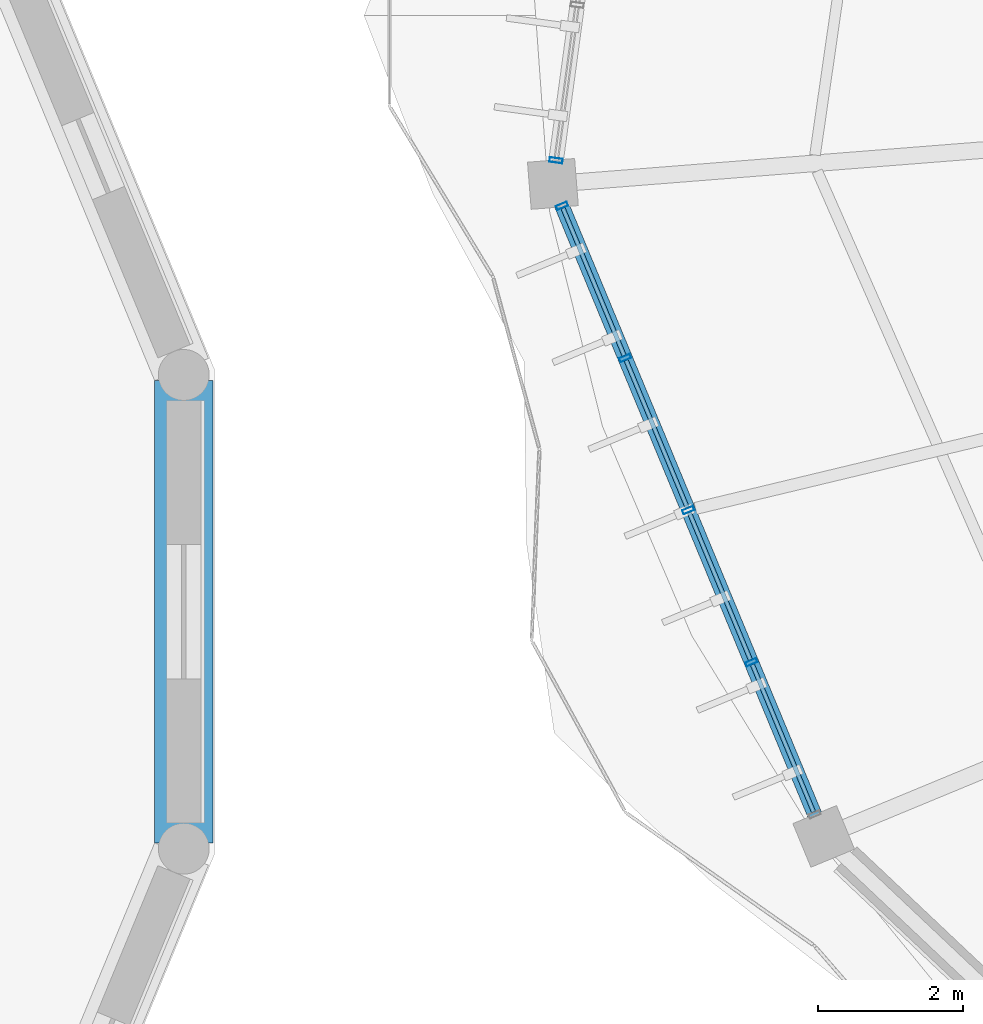
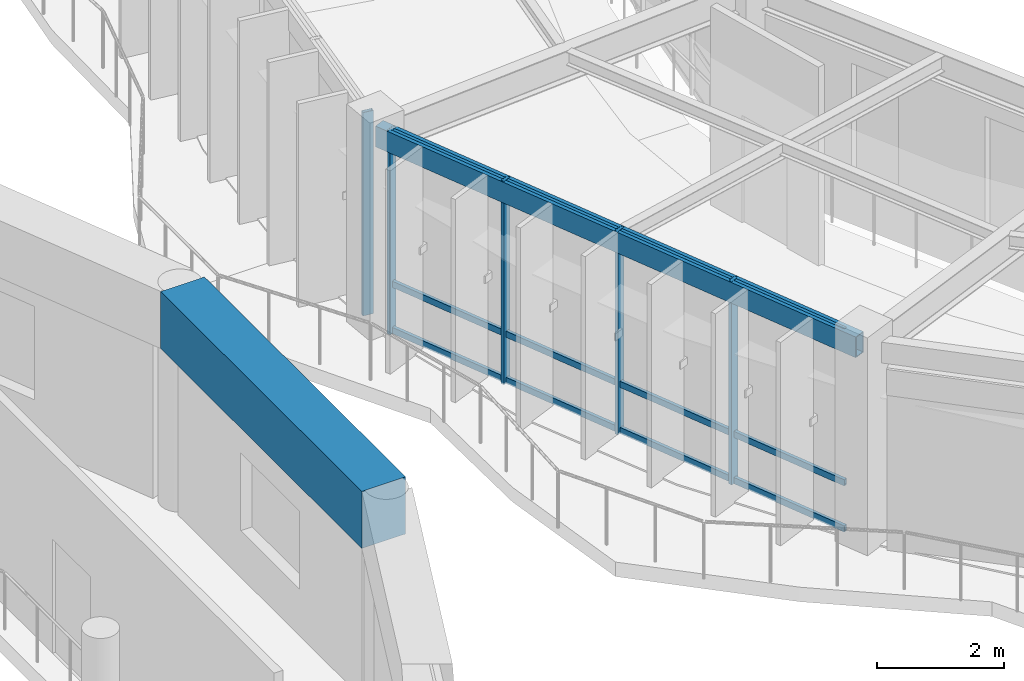
# One storey, part 33 of 114: 17 members, 2 beams, 2 elements without a shape of their own.
"""IFC4 building model written with IfcOpenShell, lengths in metres."""

from ifc_helpers import new_model, si_unit, direction, frame, origin, origin_2d, place, context, subcontext, project, spatial, rectangle, hollow_rectangle, extrude, material, material_profile, profile_set, type_object, element, aggregate, save


model = new_model("IFC4")

# Units and contexts
model_context = context("Model", 3, precision=1e-05, world=origin(), true_north=direction((0.0, 1.0)))
body_context = subcontext(model_context, "Body", "Model", "MODEL_VIEW")
ifc_project = project(units=[si_unit("LENGTHUNIT", "METRE"), si_unit("AREAUNIT", "SQUARE_METRE"), si_unit("VOLUMEUNIT", "CUBIC_METRE"), si_unit("PLANEANGLEUNIT", "RADIAN"), si_unit("MASSUNIT", "GRAM", prefix="KILO"), si_unit("THERMODYNAMICTEMPERATUREUNIT", "KELVIN"), si_unit("POWERUNIT", "WATT")], contexts=[model_context])

# Site, building, storey
site_placement = place(None, origin())
site = spatial("IfcSite", under=ifc_project, at=site_placement, CompositionType="ELEMENT")
building_placement = place(site_placement, origin())
building = spatial("IfcBuilding", under=site, at=building_placement, Name="Darbajah Civic Hall", CompositionType="ELEMENT")
storey_placement = place(building_placement, frame((0.0, 0.0, 13.800048828125)))
storey = spatial("IfcBuildingStorey", under=building, at=storey_placement, Name="L03", CompositionType="ELEMENT", Elevation=13.800048828125)

# Curtain wall, members
ifc_material_1 = material(Name="Anodised Bronze Aluminium and Low-E Glazing", Category="aluminium")
curtain_wall_type_1 = type_object("IfcCurtainWallType", Name="Unitised Curtain Wall CW-59 9100x3900", PredefinedType="USERDEFINED", material=ifc_material_1)
curtain_wall_1_placement = place(storey_placement, origin())
curtain_wall_1 = element("IfcCurtainWall", 1, at=curtain_wall_1_placement, inside=storey, type_object=curtain_wall_type_1, Name="L03 unitised curtain wall CW-V1O-L03-10", ObjectType="UNITISED CURTAIN WALL", PredefinedType="USERDEFINED")
ifc_material_2 = material(Name="Anodised Bronze Aluminium", Category="aluminium")
ifc_material_profile_1 = material_profile(ifc_material_2, hollow_rectangle(XDim=0.06005859375, YDim=0.159912109375, WallThickness=0.00341796875, at=origin_2d()), Name="ALU MULLION 60x160")
ifc_profile_set_1 = profile_set([ifc_material_profile_1], Name="Anodised Bronze Aluminium")
member_type_1 = type_object("IfcMemberType", Name="ALU MULLION 60x160", PredefinedType="MULLION", material=ifc_profile_set_1)
member_1_placement = place(storey_placement, frame((38.382568359375, 87.18359375, 0.0), z_axis=(0.0, 0.0, 1.0), x_axis=(0.383328328644, -0.923612143954, 0.0)))
member_1 = element("IfcMember", 2, at=member_1_placement, type_object=member_type_1, Name="CW-V1O-L03-10 mullion 1", PredefinedType="MULLION", context=body_context, shape_type="SweptSolid", body=[
    extrude(hollow_rectangle(XDim=0.06005859375, YDim=0.159912109375, WallThickness=0.00341796875, at=origin_2d()), origin(), (0.0, 0.0, 1.0), 3.919921875),
])
member_2_placement = place(storey_placement, frame((39.251220703125, 85.0908203125, 0.0), z_axis=(0.0, 0.0, 1.0), x_axis=(0.383328328644, -0.923612143954, 0.0)))
member_2 = element("IfcMember", 3, at=member_2_placement, type_object=member_type_1, Name="CW-V1O-L03-10 mullion 2", PredefinedType="MULLION", context=body_context, shape_type="SweptSolid", body=[
    extrude(hollow_rectangle(XDim=0.06005859375, YDim=0.159912109375, WallThickness=0.00341796875, at=origin_2d()), origin(), (0.0, 0.0, 1.0), 3.919921875),
])
member_3_placement = place(storey_placement, frame((40.11962890625, 82.998046875, 0.0), z_axis=(0.0, 0.0, 1.0), x_axis=(0.383328328644, -0.923612143954, 0.0)))
member_3 = element("IfcMember", 4, at=member_3_placement, type_object=member_type_1, Name="CW-V1O-L03-10 mullion 3", PredefinedType="MULLION", context=body_context, shape_type="SweptSolid", body=[
    extrude(hollow_rectangle(XDim=0.06005859375, YDim=0.159912109375, WallThickness=0.00341796875, at=origin_2d()), origin(), (0.0, 0.0, 1.0), 3.919921875),
])
member_4_placement = place(storey_placement, frame((40.98828125, 80.905517578125, 0.0), z_axis=(0.0, 0.0, 1.0), x_axis=(0.383328328644, -0.923612143954, 0.0)))
member_4 = element("IfcMember", 5, at=member_4_placement, type_object=member_type_1, Name="CW-V1O-L03-10 mullion 4", PredefinedType="MULLION", context=body_context, shape_type="SweptSolid", body=[
    extrude(hollow_rectangle(XDim=0.06005859375, YDim=0.159912109375, WallThickness=0.00341796875, at=origin_2d()), origin(), (0.0, 0.0, 1.0), 3.919921875),
])

# Curtain wall, member
curtain_wall_type_2 = type_object("IfcCurtainWallType", Name="Unitised Curtain Wall CW-45 8600x3900", PredefinedType="USERDEFINED", material=ifc_material_1)
curtain_wall_2_placement = place(storey_placement, origin())
curtain_wall_2 = element("IfcCurtainWall", 6, at=curtain_wall_2_placement, inside=storey, type_object=curtain_wall_type_2, Name="L03 unitised curtain wall CW-V1O-L03-09", ObjectType="UNITISED CURTAIN WALL", PredefinedType="USERDEFINED")
ifc_material_profile_2 = material_profile(ifc_material_2, hollow_rectangle(XDim=0.06494140625, YDim=0.179931640625, WallThickness=0.00390625, at=origin_2d()), Name="ALU MULLION 65x180")
ifc_profile_set_2 = profile_set([ifc_material_profile_2], Name="Anodised Bronze Aluminium")
member_type_2 = type_object("IfcMemberType", Name="ALU MULLION 65x180", PredefinedType="MULLION", material=ifc_profile_set_2)
member_5_placement = place(storey_placement, frame((38.30126953125, 87.8095703125, 0.0), z_axis=(0.0, 0.0, 1.0), x_axis=(-0.134850930274, -0.990865897387, 0.0)))
member_5 = element("IfcMember", 7, at=member_5_placement, type_object=member_type_2, Name="CW-V1O-L03-09 mullion 5", PredefinedType="MULLION", context=body_context, shape_type="SweptSolid", body=[
    extrude(hollow_rectangle(XDim=0.06494140625, YDim=0.179931640625, WallThickness=0.00390625, at=origin_2d()), origin(), (0.0, 0.0, 1.0), 3.919921875),
])
aggregate(curtain_wall_2, [member_5])

# Member
ifc_material_profile_3 = material_profile(ifc_material_2, hollow_rectangle(XDim=0.06005859375, YDim=0.1201171875, WallThickness=0.003173828125, at=origin_2d()), Name="ALU TRANSOM 60x120")
ifc_profile_set_3 = profile_set([ifc_material_profile_3], Name="Anodised Bronze Aluminium")
member_type_3 = type_object("IfcMemberType", Name="ALU TRANSOM 60x120", PredefinedType="USERDEFINED", material=ifc_profile_set_3)
member_6_placement = place(storey_placement, frame((38.39599609375, 87.151123046875, 0.06005859375), z_axis=(0.383399147334, -0.923582748769, 0.0), x_axis=(0.923582748769, 0.383399147334, 0.0)))
member_6 = element("IfcMember", 8, at=member_6_placement, type_object=member_type_3, Name="CW-V1O-L03-10 transom 1.1", ObjectType="TRANSOM", PredefinedType="USERDEFINED", context=body_context, shape_type="SweptSolid", body=[
    extrude(hollow_rectangle(XDim=0.06005859375, YDim=0.1201171875, WallThickness=0.003173828125, at=origin_2d()), origin(), (0.0, 0.0, 1.0), 2.195556640625),
])

member_7_placement = place(storey_placement, frame((38.39599609375, 87.151123046875, 0.949951171875), z_axis=(0.383399147334, -0.923582748769, 0.0), x_axis=(0.923582748769, 0.383399147334, 0.0)))
member_7 = element("IfcMember", 9, at=member_7_placement, type_object=member_type_3, Name="CW-V1O-L03-10 transom 1.2", ObjectType="TRANSOM", PredefinedType="USERDEFINED", context=body_context, shape_type="SweptSolid", body=[
    extrude(hollow_rectangle(XDim=0.06005859375, YDim=0.1201171875, WallThickness=0.003173828125, at=origin_2d()), origin(), (0.0, 0.0, 1.0), 2.195556640625),
])

member_8_placement = place(storey_placement, frame((38.39599609375, 87.151123046875, 3.85986328125), z_axis=(0.383399147334, -0.923582748769, 0.0), x_axis=(0.923582748769, 0.383399147334, 0.0)))
member_8 = element("IfcMember", 10, at=member_8_placement, type_object=member_type_3, Name="CW-V1O-L03-10 transom 1.3", ObjectType="TRANSOM", PredefinedType="USERDEFINED", context=body_context, shape_type="SweptSolid", body=[
    extrude(hollow_rectangle(XDim=0.06005859375, YDim=0.1201171875, WallThickness=0.003173828125, at=origin_2d()), origin(), (0.0, 0.0, 1.0), 2.195556640625),
])

member_9_placement = place(storey_placement, frame((39.264404296875, 85.05859375, 0.06005859375), z_axis=(0.383359776911, -0.923599091298, 0.0), x_axis=(0.923599091298, 0.383359776911, 0.0)))
member_9 = element("IfcMember", 11, at=member_9_placement, type_object=member_type_3, Name="CW-V1O-L03-10 transom 2.1", ObjectType="TRANSOM", PredefinedType="USERDEFINED", context=body_context, shape_type="SweptSolid", body=[
    extrude(hollow_rectangle(XDim=0.06005859375, YDim=0.1201171875, WallThickness=0.003173828125, at=origin_2d()), origin(), (0.0, 0.0, 1.0), 2.19580078125),
])

member_10_placement = place(storey_placement, frame((39.264404296875, 85.05859375, 0.949951171875), z_axis=(0.383359776911, -0.923599091298, 0.0), x_axis=(0.923599091298, 0.383359776911, 0.0)))
member_10 = element("IfcMember", 12, at=member_10_placement, type_object=member_type_3, Name="CW-V1O-L03-10 transom 2.2", ObjectType="TRANSOM", PredefinedType="USERDEFINED", context=body_context, shape_type="SweptSolid", body=[
    extrude(hollow_rectangle(XDim=0.06005859375, YDim=0.1201171875, WallThickness=0.003173828125, at=origin_2d()), origin(), (0.0, 0.0, 1.0), 2.19580078125),
])

member_11_placement = place(storey_placement, frame((39.264404296875, 85.05859375, 3.85986328125), z_axis=(0.383359776911, -0.923599091298, 0.0), x_axis=(0.923599091298, 0.383359776911, 0.0)))
member_11 = element("IfcMember", 13, at=member_11_placement, type_object=member_type_3, Name="CW-V1O-L03-10 transom 2.3", ObjectType="TRANSOM", PredefinedType="USERDEFINED", context=body_context, shape_type="SweptSolid", body=[
    extrude(hollow_rectangle(XDim=0.06005859375, YDim=0.1201171875, WallThickness=0.003173828125, at=origin_2d()), origin(), (0.0, 0.0, 1.0), 2.19580078125),
])

member_12_placement = place(storey_placement, frame((40.133056640625, 82.9658203125, 0.06005859375), z_axis=(0.383359776911, -0.923599091298, 0.0), x_axis=(0.923599091298, 0.383359776911, 0.0)))
member_12 = element("IfcMember", 14, at=member_12_placement, type_object=member_type_3, Name="CW-V1O-L03-10 transom 3.1", ObjectType="TRANSOM", PredefinedType="USERDEFINED", context=body_context, shape_type="SweptSolid", body=[
    extrude(hollow_rectangle(XDim=0.06005859375, YDim=0.1201171875, WallThickness=0.003173828125, at=origin_2d()), origin(), (0.0, 0.0, 1.0), 2.19580078125),
])

member_13_placement = place(storey_placement, frame((40.133056640625, 82.9658203125, 0.949951171875), z_axis=(0.383359776911, -0.923599091298, 0.0), x_axis=(0.923599091298, 0.383359776911, 0.0)))
member_13 = element("IfcMember", 15, at=member_13_placement, type_object=member_type_3, Name="CW-V1O-L03-10 transom 3.2", ObjectType="TRANSOM", PredefinedType="USERDEFINED", context=body_context, shape_type="SweptSolid", body=[
    extrude(hollow_rectangle(XDim=0.06005859375, YDim=0.1201171875, WallThickness=0.003173828125, at=origin_2d()), origin(), (0.0, 0.0, 1.0), 2.19580078125),
])

member_14_placement = place(storey_placement, frame((40.133056640625, 82.9658203125, 3.85986328125), z_axis=(0.383359776911, -0.923599091298, 0.0), x_axis=(0.923599091298, 0.383359776911, 0.0)))
member_14 = element("IfcMember", 16, at=member_14_placement, type_object=member_type_3, Name="CW-V1O-L03-10 transom 3.3", ObjectType="TRANSOM", PredefinedType="USERDEFINED", context=body_context, shape_type="SweptSolid", body=[
    extrude(hollow_rectangle(XDim=0.06005859375, YDim=0.1201171875, WallThickness=0.003173828125, at=origin_2d()), origin(), (0.0, 0.0, 1.0), 2.19580078125),
])

member_15_placement = place(storey_placement, frame((41.001708984375, 80.873046875, 0.06005859375), z_axis=(0.383304291667, -0.923622119695, 0.0), x_axis=(0.923622119695, 0.383304291667, 0.0)))
member_15 = element("IfcMember", 17, at=member_15_placement, type_object=member_type_3, Name="CW-V1O-L03-10 transom 4.1", ObjectType="TRANSOM", PredefinedType="USERDEFINED", context=body_context, shape_type="SweptSolid", body=[
    extrude(hollow_rectangle(XDim=0.06005859375, YDim=0.1201171875, WallThickness=0.003173828125, at=origin_2d()), origin(), (0.0, 0.0, 1.0), 2.195556640625),
])

member_16_placement = place(storey_placement, frame((41.001708984375, 80.873046875, 0.949951171875), z_axis=(0.383304291667, -0.923622119695, 0.0), x_axis=(0.923622119695, 0.383304291667, 0.0)))
member_16 = element("IfcMember", 18, at=member_16_placement, type_object=member_type_3, Name="CW-V1O-L03-10 transom 4.2", ObjectType="TRANSOM", PredefinedType="USERDEFINED", context=body_context, shape_type="SweptSolid", body=[
    extrude(hollow_rectangle(XDim=0.06005859375, YDim=0.1201171875, WallThickness=0.003173828125, at=origin_2d()), origin(), (0.0, 0.0, 1.0), 2.195556640625),
])

member_17_placement = place(storey_placement, frame((41.001708984375, 80.873046875, 3.85986328125), z_axis=(0.383304291667, -0.923622119695, 0.0), x_axis=(0.923622119695, 0.383304291667, 0.0)))
member_17 = element("IfcMember", 19, at=member_17_placement, type_object=member_type_3, Name="CW-V1O-L03-10 transom 4.3", ObjectType="TRANSOM", PredefinedType="USERDEFINED", context=body_context, shape_type="SweptSolid", body=[
    extrude(hollow_rectangle(XDim=0.06005859375, YDim=0.1201171875, WallThickness=0.003173828125, at=origin_2d()), origin(), (0.0, 0.0, 1.0), 2.195556640625),
])

aggregate(curtain_wall_1, [member_1, member_2, member_3, member_4, member_6, member_7, member_8, member_9, member_10, member_11, member_12, member_13, member_14, member_15, member_16, member_17])

# Beams
ifc_material_3 = material(Name="Concrete C50/60", Category="concrete")
ifc_material_profile_4 = material_profile(ifc_material_3, rectangle(XDim=0.800048828125, YDim=1.10009765625, at=origin_2d()), Name="RC RING 800x1100")
ifc_profile_set_4 = profile_set([ifc_material_profile_4], Name="Concrete C50/60")
beam_type_1 = type_object("IfcBeamType", Name="RC RING 800x1100", PredefinedType="BEAM", material=ifc_profile_set_4)
beam_1_placement = place(storey_placement, frame((33.179931640625, 78.421875, 3.64990234375), z_axis=(0.0, 1.0, 0.0), x_axis=(-1.0, 0.0, 0.0)))
element("IfcBeam", 20, at=beam_1_placement, inside=storey, type_object=beam_type_1, Name="Dome Base Ring Beam segment 16", PredefinedType="BEAM", context=body_context, shape_type="SweptSolid", body=[
    extrude(rectangle(XDim=0.800048828125, YDim=1.10009765625, at=origin_2d()), origin(), (0.0, 0.0, 1.0), 6.3564453125),
])
ifc_material_4 = material(Name="Steel S355JR", Category="steel")
ifc_material_profile_5 = material_profile(ifc_material_4, hollow_rectangle(XDim=0.199951171875, YDim=0.39990234375, WallThickness=0.013916015625, at=origin_2d()), Name="RHS 400x200x14")
ifc_profile_set_5 = profile_set([ifc_material_profile_5], Name="Steel S355JR")
beam_type_2 = type_object("IfcBeamType", Name="RHS 400x200x14", PredefinedType="SPANDREL", material=ifc_profile_set_5)
beam_2_placement = place(storey_placement, frame((38.287841796875, 87.41162109375, 3.719970703125), z_axis=(0.38333984527, -0.923607364104, 0.0), x_axis=(0.923607364104, 0.38333984527, 0.0)))
element("IfcBeam", 21, at=beam_2_placement, inside=storey, type_object=beam_type_2, Name="L03 beam SP-RHS400", PredefinedType="SPANDREL", context=body_context, shape_type="SweptSolid", body=[
    extrude(hollow_rectangle(XDim=0.199951171875, YDim=0.39990234375, WallThickness=0.013916015625, at=origin_2d()), origin(), (0.0, 0.0, 1.0), 9.556884765625),
])

save(model, "model.ifc")
